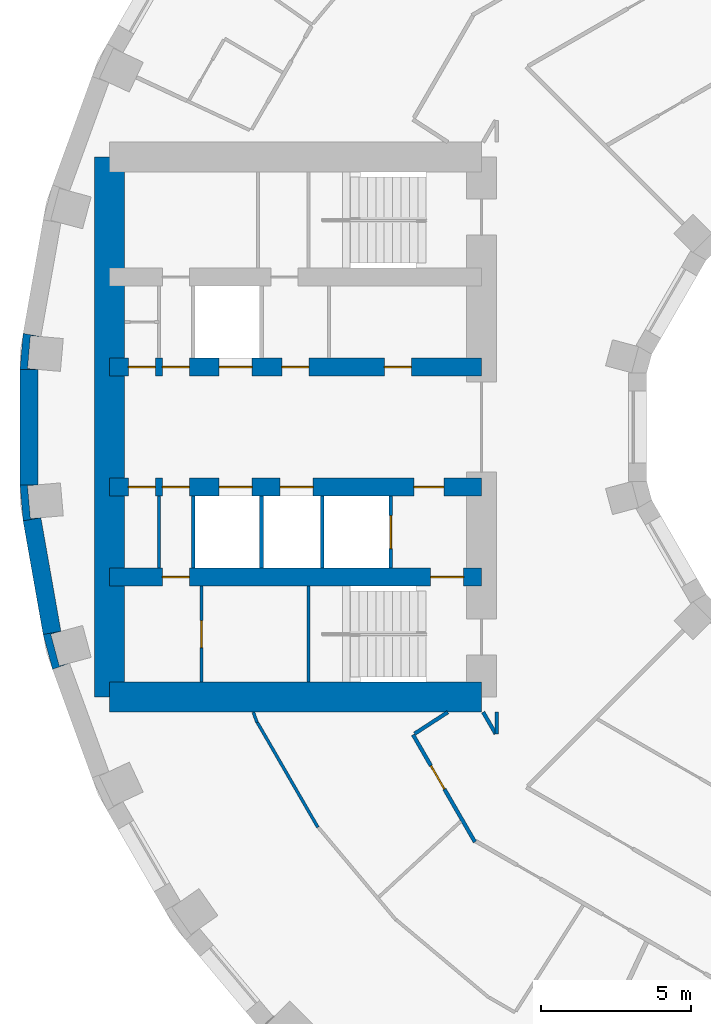
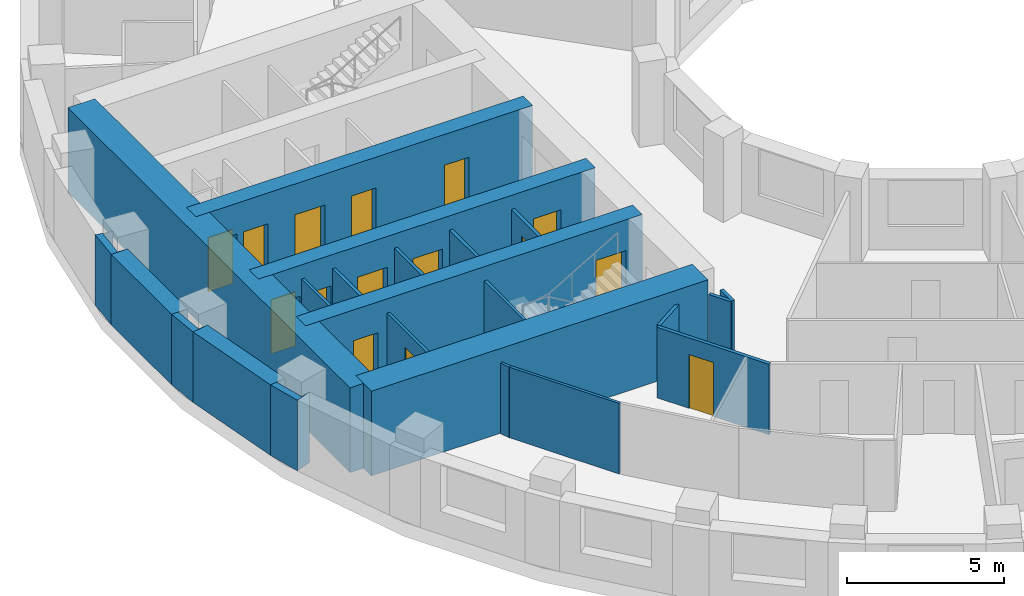
# One storey, part 5 of 15: 23 walls, 15 doors, 15 openings.
"""IFC4 building model written with IfcOpenShell, lengths in metres."""

from ifc_helpers import new_model, si_unit, direction, frame, frame_2d, origin, place, context, subcontext, project, spatial, polyline, rectangle, outline, extrude, material, layer, layer_set, type_object, element, fill, save


model = new_model("IFC4")

# Units and contexts
model_context = context("Model", 3, precision=1e-05, world=origin(), true_north=direction((0.0, 1.0)))
body_context = subcontext(model_context, "Body", "Model", "MODEL_VIEW")
ifc_project = project(units=[si_unit("LENGTHUNIT", "METRE"), si_unit("AREAUNIT", "SQUARE_METRE"), si_unit("VOLUMEUNIT", "CUBIC_METRE"), si_unit("PLANEANGLEUNIT", "RADIAN"), si_unit("MASSUNIT", "GRAM", prefix="KILO")], contexts=[model_context])

# Site, building, storey
site_placement = place(None, origin())
site = spatial("IfcSite", under=ifc_project, at=site_placement, CompositionType="ELEMENT")
building_placement = place(site_placement, origin())
building = spatial("IfcBuilding", under=site, at=building_placement, Name="Saqina Gate Tower", CompositionType="ELEMENT")
storey_placement = place(building_placement, frame((0.0, 0.0, 65.89990234375)))
storey = spatial("IfcBuildingStorey", under=building, at=storey_placement, Name="L18", CompositionType="ELEMENT", Elevation=65.89990234375)

# Walls
ifc_material_1 = material(Name="Brick masonry (red)", Category="masonry")
wall_type_1 = type_object("IfcWallType", Name="BRICK PIER COPING RED", PredefinedType="SOLIDWALL", material=ifc_material_1)
wall_1_placement = place(storey_placement, origin())
element("IfcWall", 1, at=wall_1_placement, inside=storey, type_object=wall_type_1, Name="Pier cap L18 column 18", PredefinedType="SOLIDWALL", context=body_context, shape_type="SweptSolid", body=[
    extrude(outline(polyline([(-28.78466796875, 3.122802734375), (-28.8896484375, 1.9228515625), (-28.28955078125, 1.9228515625), (-28.638671875, 1.95361328125), (-28.54296875, 3.04931640625), (-28.19384765625, 3.018798828125), (-28.78466796875, 3.122802734375)])), origin(), (0.0, 0.0, 1.0), 2.75),
])
wall_2_placement = place(storey_placement, origin())
element("IfcWall", 2, at=wall_2_placement, inside=storey, type_object=wall_type_1, Name="Pier cap L18 column 19", PredefinedType="SOLIDWALL", context=body_context, shape_type="SweptSolid", body=[
    extrude(outline(polyline([(-28.8896484375, -1.9228515625), (-28.78466796875, -3.122802734375), (-28.19384765625, -3.018798828125), (-28.54296875, -3.04931640625), (-28.638671875, -1.95361328125), (-28.28955078125, -1.9228515625), (-28.8896484375, -1.9228515625)])), origin(), (0.0, 0.0, 1.0), 2.75),
])
wall_3_placement = place(storey_placement, origin())
element("IfcWall", 3, at=wall_3_placement, inside=storey, type_object=wall_type_1, Name="Pier cap L18 column 20", PredefinedType="SOLIDWALL", context=body_context, shape_type="SweptSolid", body=[
    extrude(outline(polyline([(-28.11669921875, -6.910400390625), (-27.80517578125, -8.073974609375), (-27.2412109375, -7.86865234375), (-27.57958984375, -7.95947265625), (-27.864501953125, -6.896728515625), (-27.52587890625, -6.80615234375), (-28.11669921875, -6.910400390625)])), origin(), (0.0, 0.0, 1.0), 2.75),
])
ifc_material_2 = material(Name="Gypsum board on steel studs", Category="steel")
ifc_layer_1 = layer(ifc_material_2, 0.10009765625)
ifc_layer_set_1 = layer_set([ifc_layer_1], Name="CORE PARTITION")
wall_type_2 = type_object("IfcWallType", Name="CORE PARTITION", PredefinedType="PARTITIONING", material=ifc_layer_set_1)
wall_4_placement = place(storey_placement, frame((-24.260009765625, -4.699951171875, 0.0), z_axis=(0.0, 0.0, 1.0), x_axis=(0.0, 1.0, 0.0)))
element("IfcWall", 4, at=wall_4_placement, inside=storey, type_object=wall_type_2, Name="L18-CP-W09", PredefinedType="PARTITIONING", context=body_context, shape_type="SweptSolid", body=[
    extrude(rectangle(XDim=2.39990234375, YDim=0.10009765625, at=frame_2d((1.199951171875, 0.0))), origin(), (0.0, 0.0, 1.0), 2.75),
])

# Wall, opening, door
wall_5_placement = place(storey_placement, frame((-22.846435546875, -8.5, 0.0), z_axis=(0.0, 0.0, 1.0), x_axis=(0.0, 1.0, 0.0)))
wall_5 = element("IfcWall", 5, at=wall_5_placement, inside=storey, type_object=wall_type_2, Name="L18-CP-W14", PredefinedType="PARTITIONING", context=body_context, shape_type="SweptSolid", body=[
    extrude(rectangle(XDim=3.199951171875, YDim=0.10009765625, at=frame_2d((1.60009765625, 0.0))), origin(), (0.0, 0.0, 1.0), 2.75),
])
opening_1_placement = place(wall_5_placement, frame((1.14990234375, 0.0, 0.0)))
opening_1 = element("IfcOpeningElement", 6, at=opening_1_placement, cuts=wall_5, Name="Opening G05-D116", PredefinedType="OPENING", context=body_context, shape_type="SweptSolid", body=[
    extrude(rectangle(XDim=0.89990234375, YDim=2.10009765625, at=frame_2d((0.449951171875, 1.050048828125))), frame((0.0, 0.06201171875, 0.0), z_axis=(0.0, -1.0, 0.0), x_axis=(1.0, 0.0, 0.0)), (0.0, 0.0, 1.0), 0.1240234375),
])
ifc_material_3 = material(Name="Steel-framed fire door leaf, EI 60", Category="steel")
door_type_1 = type_object("IfcDoorType", Name="SERVICE ROOM DOOR 900", OperationType="SINGLE_SWING_LEFT", PredefinedType="DOOR", material=ifc_material_3)
door_1_placement = place(opening_1_placement, frame((0.89990234375, 0.0, 0.0), z_axis=(0.0, 0.0, 1.0), x_axis=(-1.0, 0.0, 0.0)))
door_1 = element("IfcDoor", 7, at=door_1_placement, inside=storey, type_object=door_type_1, Name="L18-CD-W27", OperationType="SINGLE_SWING_RIGHT", OverallHeight=2.10009765625, OverallWidth=0.89990234375, PredefinedType="DOOR", context=body_context, shape_type="SweptSolid", body=[
    extrude(rectangle(XDim=0.89990234375, YDim=2.10009765625, at=frame_2d((0.449951171875, 1.050048828125))), frame((0.0, 0.02490234375, 0.0), z_axis=(0.0, -1.0, 0.0), x_axis=(1.0, 0.0, 0.0)), (0.0, 0.0, 1.0), 0.050048828125),
])
fill(opening_1, door_1)

# Walls
ifc_material_4 = material(Name="Glazed ceramic tile", Category="ceramic")
ifc_layer_2 = layer(ifc_material_4, 0.60009765625)
ifc_layer_set_2 = layer_set([ifc_layer_2], Name="FW-TILE")
wall_type_3 = type_object("IfcWallType", Name="FW-TILE", PredefinedType="SOLIDWALL", material=ifc_layer_set_2)
wall_6_placement = place(storey_placement, frame((-28.4892578125, -3.07080078125, 0.0), z_axis=(0.0, 0.0, 1.0), x_axis=(0.173687553279, -0.984800809218, 0.0)))
element("IfcWall", 8, at=wall_6_placement, inside=storey, type_object=wall_type_3, Name="Facade wall L18 facet 19", PredefinedType="SOLIDWALL", context=body_context, shape_type="SweptSolid", body=[
    extrude(rectangle(XDim=3.845703125, YDim=0.60009765625, at=frame_2d((1.9228515625, 0.0))), origin(), (0.0, 0.0, 1.0), 2.75),
])
ifc_material_5 = material(Name="Glazed ceramic tile (white)", Category="ceramic")
ifc_layer_3 = layer(ifc_material_5, 0.60009765625)
ifc_layer_set_3 = layer_set([ifc_layer_3], Name="FW-TILE-WH")
wall_type_4 = type_object("IfcWallType", Name="FW-TILE-WH", PredefinedType="SOLIDWALL", material=ifc_layer_set_3)
wall_7_placement = place(storey_placement, frame((-28.589599609375, 1.9228515625, 0.0), z_axis=(0.0, 0.0, 1.0), x_axis=(0.0, -1.0, 0.0)))
element("IfcWall", 9, at=wall_7_placement, inside=storey, type_object=wall_type_4, Name="Facade wall L18 facet 18", PredefinedType="SOLIDWALL", context=body_context, shape_type="SweptSolid", body=[
    extrude(rectangle(XDim=3.845703125, YDim=0.60009765625, at=frame_2d((1.9228515625, 0.0))), origin(), (0.0, 0.0, 1.0), 2.75),
])
ifc_material_6 = material(Name="Gypsum board on steel studs, 100 mm", Category="steel")
ifc_layer_4 = layer(ifc_material_6, 0.10009765625)
ifc_layer_set_4 = layer_set([ifc_layer_4], Name="PARTITION 100")
wall_type_5 = type_object("IfcWallType", Name="PARTITION 100", PredefinedType="PARTITIONING", material=ifc_layer_set_4)
wall_8_placement = place(storey_placement, frame((-21.114013671875, -9.5, 0.0), z_axis=(0.0, 0.0, 1.0), x_axis=(0.34403955715, -0.938955155008, 0.0)))
element("IfcWall", 10, at=wall_8_placement, inside=storey, type_object=wall_type_5, Name="PARTITION PW3-17", PredefinedType="PARTITIONING", context=body_context, shape_type="SweptSolid", body=[
    extrude(rectangle(XDim=0.366943359375, YDim=0.10009765625, at=frame_2d((0.18359375, 0.0))), origin(), (0.0, 0.0, 1.0), 2.75),
])
wall_9_placement = place(storey_placement, frame((-20.980224609375, -9.840087890625, 0.0), z_axis=(0.0, 0.0, 1.0), x_axis=(0.500013722509, -0.866017480945, 0.0)))
element("IfcWall", 11, at=wall_9_placement, inside=storey, type_object=wall_type_5, Name="PARTITION PW3-22", PredefinedType="PARTITIONING", context=body_context, shape_type="SweptSolid", body=[
    extrude(rectangle(XDim=4.0390625, YDim=0.10009765625, at=frame_2d((2.01953125, 0.0))), origin(), (0.0, 0.0, 1.0), 2.75),
])

# Wall, opening, door
ifc_material_7 = material(Name="Gypsum board on steel studs, 125 mm, fire rated", Category="steel")
ifc_layer_5 = layer(ifc_material_7, 0.125)
ifc_layer_set_5 = layer_set([ifc_layer_5], Name="PARTITION EI 30 125")
wall_type_6 = type_object("IfcWallType", Name="PARTITION EI 30 125", PredefinedType="PARTITIONING", material=ifc_layer_set_5)
wall_10_placement = place(storey_placement, frame((-15.7890625, -10.2529296875, 0.0), z_axis=(0.0, 0.0, 1.0), x_axis=(0.49993934159, -0.866060422101, 0.0)))
wall_10 = element("IfcWall", 12, at=wall_10_placement, inside=storey, type_object=wall_type_6, Name="PARTITION PW1-01", PredefinedType="PARTITIONING", context=body_context, shape_type="SweptSolid", body=[
    extrude(rectangle(XDim=4.125, YDim=0.125, at=frame_2d((2.0625, 0.0))), origin(), (0.0, 0.0, 1.0), 2.75),
])
opening_2_placement = place(wall_10_placement, frame((1.189453125, 0.0, 0.0)))
opening_2 = element("IfcOpeningElement", 13, at=opening_2_placement, cuts=wall_10, Name="Opening G05-D36", PredefinedType="OPENING", context=body_context, shape_type="SweptSolid", body=[
    extrude(rectangle(XDim=0.89990234375, YDim=2.10009765625, at=frame_2d((0.449951171875, 1.050048828125))), frame((0.0, 0.074462890625, 0.0), z_axis=(0.0, -1.0, 0.0), x_axis=(1.0, 0.0, 0.0)), (0.0, 0.0, 1.0), 0.14892578125),
])
ifc_material_8 = material(Name="Fire door leaf EI 30, 900 mm")
door_type_2 = type_object("IfcDoorType", Name="DOOR 900 EI 30", OperationType="SINGLE_SWING_LEFT", PredefinedType="DOOR", material=ifc_material_8)
door_2_placement = place(opening_2_placement, frame((0.89990234375, 0.0, 0.0), z_axis=(0.0, 0.0, 1.0), x_axis=(-1.0, 0.0, 0.0)))
door_2 = element("IfcDoor", 14, at=door_2_placement, inside=storey, type_object=door_type_2, Name="DOOR G05-D36", OperationType="SINGLE_SWING_RIGHT", OverallHeight=2.10009765625, OverallWidth=0.89990234375, PredefinedType="DOOR", context=body_context, shape_type="SweptSolid", body=[
    extrude(rectangle(XDim=0.89990234375, YDim=2.10009765625, at=frame_2d((0.449951171875, 1.050048828125))), frame((0.0, 0.02490234375, 0.0), z_axis=(0.0, -1.0, 0.0), x_axis=(1.0, 0.0, 0.0)), (0.0, 0.0, 1.0), 0.050048828125),
])
fill(opening_2, door_2)

# Walls
wall_11_placement = place(storey_placement, frame((-13.451904296875, -9.5, 0.0), z_axis=(0.0, 0.0, 1.0), x_axis=(0.49991670217, -0.866073490468, 0.0)))
element("IfcWall", 15, at=wall_11_placement, inside=storey, type_object=wall_type_6, Name="PARTITION PW1-02", PredefinedType="PARTITIONING", context=body_context, shape_type="SweptSolid", body=[
    extrude(rectangle(XDim=0.834228515625, YDim=0.125, at=frame_2d((0.4169921875, 0.0))), origin(), (0.0, 0.0, 1.0), 2.75),
])
wall_12_placement = place(storey_placement, frame((-15.736572265625, -10.218994140625, 0.0), z_axis=(0.0, 0.0, 1.0), x_axis=(0.838785586694, 0.544461880717, 0.0)))
element("IfcWall", 16, at=wall_12_placement, inside=storey, type_object=wall_type_6, Name="PARTITION PW1-38", PredefinedType="PARTITIONING", context=body_context, shape_type="SweptSolid", body=[
    extrude(rectangle(XDim=1.320556640625, YDim=0.125, at=frame_2d((0.66015625, 0.0))), origin(), (0.0, 0.0, 1.0), 2.75),
])
wall_13_placement = place(storey_placement, frame((-13.0, -10.220458984375, 0.0), z_axis=(0.0, 0.0, 1.0), x_axis=(0.0, 1.0, 0.0)))
element("IfcWall", 17, at=wall_13_placement, inside=storey, type_object=wall_type_6, Name="PARTITION PW1-55", PredefinedType="PARTITIONING", context=body_context, shape_type="SweptSolid", body=[
    extrude(rectangle(XDim=0.720458984375, YDim=0.125, at=frame_2d((0.3603515625, 0.0))), origin(), (0.0, 0.0, 1.0), 2.75),
])

# Wall, opening, door
ifc_material_9 = material(Name="Autoclaved aerated concrete block", Category="concrete")
ifc_layer_6 = layer(ifc_material_9, 0.1201171875)
ifc_layer_set_6 = layer_set([ifc_layer_6], Name="SHAFT PARTITION")
wall_type_7 = type_object("IfcWallType", Name="SHAFT PARTITION", PredefinedType="PARTITIONING", material=ifc_layer_set_6)
wall_14_placement = place(storey_placement, frame((-16.530029296875, -4.699951171875, 0.0), z_axis=(0.0, 0.0, 1.0), x_axis=(0.0, 1.0, 0.0)))
wall_14 = element("IfcWall", 18, at=wall_14_placement, inside=storey, type_object=wall_type_7, Name="L18-CP-W05", PredefinedType="PARTITIONING", context=body_context, shape_type="SweptSolid", body=[
    extrude(rectangle(XDim=2.39990234375, YDim=0.1201171875, at=frame_2d((1.199951171875, 0.0))), origin(), (0.0, 0.0, 1.0), 2.75),
])
opening_3_placement = place(wall_14_placement, frame((0.64990234375, 0.0, 0.0)))
opening_3 = element("IfcOpeningElement", 19, at=opening_3_placement, cuts=wall_14, Name="Opening G05-LD6", PredefinedType="OPENING", context=body_context, shape_type="SweptSolid", body=[
    extrude(rectangle(XDim=1.10009765625, YDim=2.10009765625, at=frame_2d((0.550048828125, 1.050048828125))), frame((0.0, 0.072021484375, 0.0), z_axis=(0.0, -1.0, 0.0), x_axis=(1.0, 0.0, 0.0)), (0.0, 0.0, 1.0), 0.14404296875),
])
ifc_material_10 = material(Name="Stainless steel", Category="steel")
door_type_3 = type_object("IfcDoorType", Name="LANDING DOOR", OperationType="DOUBLE_DOOR_SLIDING", PredefinedType="DOOR", material=ifc_material_10)
door_3_placement = place(opening_3_placement, origin())
door_3 = element("IfcDoor", 20, at=door_3_placement, inside=storey, type_object=door_type_3, Name="LANDING DOOR FF2", OperationType="DOUBLE_DOOR_SLIDING", OverallHeight=2.10009765625, OverallWidth=1.10009765625, PredefinedType="DOOR", context=body_context, shape_type="SweptSolid", body=[
    extrude(rectangle(XDim=1.10009765625, YDim=2.10009765625, at=frame_2d((0.550048828125, 1.050048828125))), frame((0.0, 0.02490234375, 0.0), z_axis=(0.0, -1.0, 0.0), x_axis=(1.0, 0.0, 0.0)), (0.0, 0.0, 1.0), 0.050048828125),
])
fill(opening_3, door_3)

# Walls
for number, where, z_axis, x_axis, name in (
    (21, (-18.81005859375, -4.699951171875, 0.0), (0.0, 0.0, 1.0), (0.0, 1.0, 0.0), "L18-CP-W06"),
    (22, (-20.840087890625, -4.699951171875, 0.0), (0.0, 0.0, 1.0), (0.0, 1.0, 0.0), "L18-CP-W07"),
    (23, (-23.1201171875, -4.699951171875, 0.0), (0.0, 0.0, 1.0), (0.0, 1.0, 0.0), "L18-CP-W08"),
):
    element("IfcWall", number, at=place(storey_placement, frame(where, z_axis=z_axis, x_axis=x_axis)), inside=storey, type_object=wall_type_7, Name=name, PredefinedType="PARTITIONING", context=body_context, shape_type="SweptSolid", body=[
        extrude(rectangle(XDim=2.39990234375, YDim=0.1201171875, at=frame_2d((1.199951171875, 0.0))), origin(), (0.0, 0.0, 1.0), 2.75),
    ])
ifc_material_11 = material(Name="Autoclaved aerated concrete block", Category="concrete")
ifc_layer_7 = layer(ifc_material_11, 0.10009765625)
ifc_layer_set_7 = layer_set([ifc_layer_7], Name="STAIR ENCLOSURE WALL")
wall_type_8 = type_object("IfcWallType", Name="STAIR ENCLOSURE WALL", PredefinedType="PARTITIONING", material=ifc_layer_set_7)
wall_15_placement = place(storey_placement, frame((-19.27001953125, -8.5, 0.0), z_axis=(0.0, 0.0, 1.0), x_axis=(0.0, 1.0, 0.0)))
element("IfcWall", 24, at=wall_15_placement, inside=storey, type_object=wall_type_8, Name="L18-CP-W13", PredefinedType="PARTITIONING", context=body_context, shape_type="SweptSolid", body=[
    extrude(rectangle(XDim=3.199951171875, YDim=0.10009765625, at=frame_2d((1.60009765625, 0.0))), origin(), (0.0, 0.0, 1.0), 2.75),
])

# Wall, openings, doors
ifc_material_12 = material(Name="Concrete C70/85", Category="concrete")
ifc_layer_8 = layer(ifc_material_12, 0.60009765625)
ifc_layer_set_8 = layer_set([ifc_layer_8], Name="Concrete C70/85")
wall_type_9 = type_object("IfcWallType", Name="STR-CORE WALL-A-I", PredefinedType="SHEAR", material=ifc_layer_set_8)
wall_16_placement = place(storey_placement, frame((-13.5, -5.0, 0.0), z_axis=(0.0, 0.0, 1.0), x_axis=(-1.0, 0.0, 0.0)))
wall_16 = element("IfcWall", 25, at=wall_16_placement, inside=storey, type_object=wall_type_9, Name="CORE WALL L18 W-X2", PredefinedType="SHEAR", context=body_context, shape_type="SweptSolid", body=[
    extrude(rectangle(XDim=12.39990234375, YDim=0.60009765625, at=frame_2d((6.199951171875, 0.0))), origin(), (0.0, 0.0, 1.0), 3.300048828125),
])
opening_4_placement = place(wall_16_placement, frame((9.739990234375, 0.0, 0.0)))
opening_4 = element("IfcOpeningElement", 26, at=opening_4_placement, cuts=wall_16, Name="Opening G05-D117", PredefinedType="OPENING", context=body_context, shape_type="SweptSolid", body=[
    extrude(rectangle(XDim=0.89990234375, YDim=2.10009765625, at=frame_2d((0.449951171875, 1.050048828125))), frame((0.0, 0.31201171875, 0.0), z_axis=(0.0, -1.0, 0.0), x_axis=(1.0, 0.0, 0.0)), (0.0, 0.0, 1.0), 0.6240234375),
])
opening_5_placement = place(wall_16_placement, frame((0.60009765625, 0.0, 0.0)))
opening_5 = element("IfcOpeningElement", 27, at=opening_5_placement, cuts=wall_16, Name="Opening G05-D118", PredefinedType="OPENING", context=body_context, shape_type="SweptSolid", body=[
    extrude(rectangle(XDim=1.10009765625, YDim=2.10009765625, at=frame_2d((0.550048828125, 1.050048828125))), frame((0.0, 0.31201171875, 0.0), z_axis=(0.0, -1.0, 0.0), x_axis=(1.0, 0.0, 0.0)), (0.0, 0.0, 1.0), 0.6240234375),
])
ifc_material_13 = material(Name="Steel", Category="steel")
door_type_4 = type_object("IfcDoorType", Name="FIRE LOBBY DOOR EI 60 WIDE", OperationType="SINGLE_SWING_LEFT", PredefinedType="DOOR", material=ifc_material_13)
door_4_placement = place(opening_5_placement, origin())
door_4 = element("IfcDoor", 28, at=door_4_placement, inside=storey, type_object=door_type_4, Name="L18-CD-W29", OperationType="SINGLE_SWING_LEFT", OverallHeight=2.10009765625, OverallWidth=1.10009765625, PredefinedType="DOOR", context=body_context, shape_type="SweptSolid", body=[
    extrude(rectangle(XDim=1.10009765625, YDim=2.10009765625, at=frame_2d((0.550048828125, 1.050048828125))), frame((0.0, 0.02490234375, 0.0), z_axis=(0.0, -1.0, 0.0), x_axis=(1.0, 0.0, 0.0)), (0.0, 0.0, 1.0), 0.050048828125),
])
fill(opening_5, door_4)
door_5_placement = place(opening_4_placement, origin())
door_5 = element("IfcDoor", 29, at=door_5_placement, inside=storey, type_object=door_type_1, Name="L18-CD-W28", OperationType="SINGLE_SWING_LEFT", OverallHeight=2.10009765625, OverallWidth=0.89990234375, PredefinedType="DOOR", context=body_context, shape_type="SweptSolid", body=[
    extrude(rectangle(XDim=0.89990234375, YDim=2.10009765625, at=frame_2d((0.449951171875, 1.050048828125))), frame((0.0, 0.02490234375, 0.0), z_axis=(0.0, -1.0, 0.0), x_axis=(1.0, 0.0, 0.0)), (0.0, 0.0, 1.0), 0.050048828125),
])
fill(opening_4, door_5)

wall_17_placement = place(storey_placement, frame((-13.5, 2.0, 0.0), z_axis=(0.0, 0.0, 1.0), x_axis=(-1.0, 0.0, 0.0)))
wall_17 = element("IfcWall", 30, at=wall_17_placement, inside=storey, type_object=wall_type_9, Name="CORE WALL L18 W-L1", PredefinedType="SHEAR", context=body_context, shape_type="SweptSolid", body=[
    extrude(rectangle(XDim=12.39990234375, YDim=0.60009765625, at=frame_2d((6.199951171875, 0.0))), origin(), (0.0, 0.0, 1.0), 3.300048828125),
])
opening_6_placement = place(wall_17_placement, frame((7.64990234375, 0.0, 0.0)))
opening_6 = element("IfcOpeningElement", 31, at=opening_6_placement, cuts=wall_17, Name="Opening G05-LD5", PredefinedType="OPENING", context=body_context, shape_type="SweptSolid", body=[
    extrude(rectangle(XDim=1.10009765625, YDim=2.10009765625, at=frame_2d((0.550048828125, 1.050048828125))), frame((0.0, 0.31201171875, 0.0), z_axis=(0.0, -1.0, 0.0), x_axis=(1.0, 0.0, 0.0)), (0.0, 0.0, 1.0), 0.6240234375),
])
opening_7_placement = place(wall_17_placement, frame((2.34130859375, 0.0, 0.0)))
opening_7 = element("IfcOpeningElement", 32, at=opening_7_placement, cuts=wall_17, Name="Opening G05-D106", PredefinedType="OPENING", context=body_context, shape_type="SweptSolid", body=[
    extrude(rectangle(XDim=0.89990234375, YDim=2.10009765625, at=frame_2d((0.449951171875, 1.050048828125))), frame((0.0, 0.31201171875, 0.0), z_axis=(0.0, -1.0, 0.0), x_axis=(1.0, 0.0, 0.0)), (0.0, 0.0, 1.0), 0.6240234375),
])
opening_8_placement = place(wall_17_placement, frame((5.761474609375, 0.0, 0.0)))
opening_8 = element("IfcOpeningElement", 33, at=opening_8_placement, cuts=wall_17, Name="Opening G05-D107", PredefinedType="OPENING", context=body_context, shape_type="SweptSolid", body=[
    extrude(rectangle(XDim=0.89990234375, YDim=2.10009765625, at=frame_2d((0.449951171875, 1.050048828125))), frame((0.0, 0.31201171875, 0.0), z_axis=(0.0, -1.0, 0.0), x_axis=(1.0, 0.0, 0.0)), (0.0, 0.0, 1.0), 0.6240234375),
])
opening_9_placement = place(wall_17_placement, frame((9.739990234375, 0.0, 0.0)))
opening_9 = element("IfcOpeningElement", 34, at=opening_9_placement, cuts=wall_17, Name="Opening G05-D108", PredefinedType="OPENING", context=body_context, shape_type="SweptSolid", body=[
    extrude(rectangle(XDim=0.89990234375, YDim=2.10009765625, at=frame_2d((0.449951171875, 1.050048828125))), frame((0.0, 0.31201171875, 0.0), z_axis=(0.0, -1.0, 0.0), x_axis=(1.0, 0.0, 0.0)), (0.0, 0.0, 1.0), 0.6240234375),
])
opening_10_placement = place(wall_17_placement, frame((10.8798828125, 0.0, 0.0)))
opening_10 = element("IfcOpeningElement", 35, at=opening_10_placement, cuts=wall_17, Name="Opening G05-D109", PredefinedType="OPENING", context=body_context, shape_type="SweptSolid", body=[
    extrude(rectangle(XDim=0.89990234375, YDim=2.10009765625, at=frame_2d((0.449951171875, 1.050048828125))), frame((0.0, 0.31201171875, 0.0), z_axis=(0.0, -1.0, 0.0), x_axis=(1.0, 0.0, 0.0)), (0.0, 0.0, 1.0), 0.6240234375),
])
door_6_placement = place(opening_6_placement, origin())
door_6 = element("IfcDoor", 36, at=door_6_placement, inside=storey, type_object=door_type_3, Name="LANDING DOOR LR4", OperationType="DOUBLE_DOOR_SLIDING", OverallHeight=2.10009765625, OverallWidth=1.10009765625, PredefinedType="DOOR", context=body_context, shape_type="SweptSolid", body=[
    extrude(rectangle(XDim=1.10009765625, YDim=2.10009765625, at=frame_2d((0.550048828125, 1.050048828125))), frame((0.0, 0.02490234375, 0.0), z_axis=(0.0, -1.0, 0.0), x_axis=(1.0, 0.0, 0.0)), (0.0, 0.0, 1.0), 0.050048828125),
])
fill(opening_6, door_6)
door_7_placement = place(opening_7_placement, frame((0.89990234375, 0.0, 0.0), z_axis=(0.0, 0.0, 1.0), x_axis=(-1.0, 0.0, 0.0)))
door_7 = element("IfcDoor", 37, at=door_7_placement, inside=storey, type_object=door_type_1, Name="L18-CD-W17", OperationType="SINGLE_SWING_RIGHT", OverallHeight=2.10009765625, OverallWidth=0.89990234375, PredefinedType="DOOR", context=body_context, shape_type="SweptSolid", body=[
    extrude(rectangle(XDim=0.89990234375, YDim=2.10009765625, at=frame_2d((0.449951171875, 1.050048828125))), frame((0.0, 0.02490234375, 0.0), z_axis=(0.0, -1.0, 0.0), x_axis=(1.0, 0.0, 0.0)), (0.0, 0.0, 1.0), 0.050048828125),
])
fill(opening_7, door_7)
door_8_placement = place(opening_8_placement, frame((0.89990234375, 0.0, 0.0), z_axis=(0.0, 0.0, 1.0), x_axis=(-1.0, 0.0, 0.0)))
door_8 = element("IfcDoor", 38, at=door_8_placement, inside=storey, type_object=door_type_1, Name="L18-CD-W18", OperationType="SINGLE_SWING_LEFT", OverallHeight=2.10009765625, OverallWidth=0.89990234375, PredefinedType="DOOR", context=body_context, shape_type="SweptSolid", body=[
    extrude(rectangle(XDim=0.89990234375, YDim=2.10009765625, at=frame_2d((0.449951171875, 1.050048828125))), frame((0.0, 0.02490234375, 0.0), z_axis=(0.0, -1.0, 0.0), x_axis=(1.0, 0.0, 0.0)), (0.0, 0.0, 1.0), 0.050048828125),
])
fill(opening_8, door_8)
door_9_placement = place(opening_9_placement, frame((0.89990234375, 0.0, 0.0), z_axis=(0.0, 0.0, 1.0), x_axis=(-1.0, 0.0, 0.0)))
door_9 = element("IfcDoor", 39, at=door_9_placement, inside=storey, type_object=door_type_1, Name="L18-CD-W19", OperationType="SINGLE_SWING_RIGHT", OverallHeight=2.10009765625, OverallWidth=0.89990234375, PredefinedType="DOOR", context=body_context, shape_type="SweptSolid", body=[
    extrude(rectangle(XDim=0.89990234375, YDim=2.10009765625, at=frame_2d((0.449951171875, 1.050048828125))), frame((0.0, 0.02490234375, 0.0), z_axis=(0.0, -1.0, 0.0), x_axis=(1.0, 0.0, 0.0)), (0.0, 0.0, 1.0), 0.050048828125),
])
fill(opening_9, door_9)
door_10_placement = place(opening_10_placement, frame((0.89990234375, 0.0, 0.0), z_axis=(0.0, 0.0, 1.0), x_axis=(-1.0, 0.0, 0.0)))
door_10 = element("IfcDoor", 40, at=door_10_placement, inside=storey, type_object=door_type_1, Name="L18-CD-W20", OperationType="SINGLE_SWING_LEFT", OverallHeight=2.10009765625, OverallWidth=0.89990234375, PredefinedType="DOOR", context=body_context, shape_type="SweptSolid", body=[
    extrude(rectangle(XDim=0.89990234375, YDim=2.10009765625, at=frame_2d((0.449951171875, 1.050048828125))), frame((0.0, 0.02490234375, 0.0), z_axis=(0.0, -1.0, 0.0), x_axis=(1.0, 0.0, 0.0)), (0.0, 0.0, 1.0), 0.050048828125),
])
fill(opening_10, door_10)

wall_18_placement = place(storey_placement, frame((-13.5, -2.0, 0.0), z_axis=(0.0, 0.0, 1.0), x_axis=(-1.0, 0.0, 0.0)))
wall_18 = element("IfcWall", 41, at=wall_18_placement, inside=storey, type_object=wall_type_9, Name="CORE WALL L18 W-L2", PredefinedType="SHEAR", context=body_context, shape_type="SweptSolid", body=[
    extrude(rectangle(XDim=12.39990234375, YDim=0.60009765625, at=frame_2d((6.199951171875, 0.0))), origin(), (0.0, 0.0, 1.0), 3.300048828125),
])
opening_11_placement = place(wall_18_placement, frame((5.6201171875, 0.0, 0.0)))
opening_11 = element("IfcOpeningElement", 42, at=opening_11_placement, cuts=wall_18, Name="Opening G05-LD7", PredefinedType="OPENING", context=body_context, shape_type="SweptSolid", body=[
    extrude(rectangle(XDim=1.10009765625, YDim=2.10009765625, at=frame_2d((0.550048828125, 1.050048828125))), frame((0.0, 0.31201171875, 0.0), z_axis=(0.0, -1.0, 0.0), x_axis=(1.0, 0.0, 0.0)), (0.0, 0.0, 1.0), 0.6240234375),
])
opening_12_placement = place(wall_18_placement, frame((7.64990234375, 0.0, 0.0)))
opening_12 = element("IfcOpeningElement", 43, at=opening_12_placement, cuts=wall_18, Name="Opening G05-LD8", PredefinedType="OPENING", context=body_context, shape_type="SweptSolid", body=[
    extrude(rectangle(XDim=1.10009765625, YDim=2.10009765625, at=frame_2d((0.550048828125, 1.050048828125))), frame((0.0, 0.31201171875, 0.0), z_axis=(0.0, -1.0, 0.0), x_axis=(1.0, 0.0, 0.0)), (0.0, 0.0, 1.0), 0.6240234375),
])
opening_13_placement = place(wall_18_placement, frame((1.264892578125, 0.0, 0.0)))
opening_13 = element("IfcOpeningElement", 44, at=opening_13_placement, cuts=wall_18, Name="Opening G05-D110", PredefinedType="OPENING", context=body_context, shape_type="SweptSolid", body=[
    extrude(rectangle(XDim=1.0, YDim=2.10009765625, at=frame_2d((0.5, 1.050048828125))), frame((0.0, 0.31201171875, 0.0), z_axis=(0.0, -1.0, 0.0), x_axis=(1.0, 0.0, 0.0)), (0.0, 0.0, 1.0), 0.6240234375),
])
opening_14_placement = place(wall_18_placement, frame((9.739990234375, 0.0, 0.0)))
opening_14 = element("IfcOpeningElement", 45, at=opening_14_placement, cuts=wall_18, Name="Opening G05-D111", PredefinedType="OPENING", context=body_context, shape_type="SweptSolid", body=[
    extrude(rectangle(XDim=0.89990234375, YDim=2.10009765625, at=frame_2d((0.449951171875, 1.050048828125))), frame((0.0, 0.31201171875, 0.0), z_axis=(0.0, -1.0, 0.0), x_axis=(1.0, 0.0, 0.0)), (0.0, 0.0, 1.0), 0.6240234375),
])
opening_15_placement = place(wall_18_placement, frame((10.8798828125, 0.0, 0.0)))
opening_15 = element("IfcOpeningElement", 46, at=opening_15_placement, cuts=wall_18, Name="Opening G05-D112", PredefinedType="OPENING", context=body_context, shape_type="SweptSolid", body=[
    extrude(rectangle(XDim=0.89990234375, YDim=2.10009765625, at=frame_2d((0.449951171875, 1.050048828125))), frame((0.0, 0.31201171875, 0.0), z_axis=(0.0, -1.0, 0.0), x_axis=(1.0, 0.0, 0.0)), (0.0, 0.0, 1.0), 0.6240234375),
])
ifc_material_14 = material(Name="Steel", Category="steel")
door_type_5 = type_object("IfcDoorType", Name="FIRE LOBBY DOOR EI 60", OperationType="SINGLE_SWING_LEFT", PredefinedType="DOOR", material=ifc_material_14)
door_11_placement = place(opening_13_placement, frame((1.0, 0.0, 0.0), z_axis=(0.0, 0.0, 1.0), x_axis=(-1.0, 0.0, 0.0)))
door_11 = element("IfcDoor", 47, at=door_11_placement, inside=storey, type_object=door_type_5, Name="L18-CD-W21", OperationType="SINGLE_SWING_RIGHT", OverallHeight=2.10009765625, OverallWidth=1.0, PredefinedType="DOOR", context=body_context, shape_type="SweptSolid", body=[
    extrude(rectangle(XDim=1.0, YDim=2.10009765625, at=frame_2d((0.5, 1.050048828125))), frame((0.0, 0.02490234375, 0.0), z_axis=(0.0, -1.0, 0.0), x_axis=(1.0, 0.0, 0.0)), (0.0, 0.0, 1.0), 0.050048828125),
])
fill(opening_13, door_11)
door_12_placement = place(opening_11_placement, origin())
door_12 = element("IfcDoor", 48, at=door_12_placement, inside=storey, type_object=door_type_3, Name="LANDING DOOR LR6", OperationType="DOUBLE_DOOR_SLIDING", OverallHeight=2.10009765625, OverallWidth=1.10009765625, PredefinedType="DOOR", context=body_context, shape_type="SweptSolid", body=[
    extrude(rectangle(XDim=1.10009765625, YDim=2.10009765625, at=frame_2d((0.550048828125, 1.050048828125))), frame((0.0, 0.02490234375, 0.0), z_axis=(0.0, -1.0, 0.0), x_axis=(1.0, 0.0, 0.0)), (0.0, 0.0, 1.0), 0.050048828125),
])
fill(opening_11, door_12)
door_13_placement = place(opening_12_placement, origin())
door_13 = element("IfcDoor", 49, at=door_13_placement, inside=storey, type_object=door_type_3, Name="LANDING DOOR LR5", OperationType="DOUBLE_DOOR_SLIDING", OverallHeight=2.10009765625, OverallWidth=1.10009765625, PredefinedType="DOOR", context=body_context, shape_type="SweptSolid", body=[
    extrude(rectangle(XDim=1.10009765625, YDim=2.10009765625, at=frame_2d((0.550048828125, 1.050048828125))), frame((0.0, 0.02490234375, 0.0), z_axis=(0.0, -1.0, 0.0), x_axis=(1.0, 0.0, 0.0)), (0.0, 0.0, 1.0), 0.050048828125),
])
fill(opening_12, door_13)
door_14_placement = place(opening_14_placement, origin())
door_14 = element("IfcDoor", 50, at=door_14_placement, inside=storey, type_object=door_type_1, Name="L18-CD-W22", OperationType="SINGLE_SWING_LEFT", OverallHeight=2.10009765625, OverallWidth=0.89990234375, PredefinedType="DOOR", context=body_context, shape_type="SweptSolid", body=[
    extrude(rectangle(XDim=0.89990234375, YDim=2.10009765625, at=frame_2d((0.449951171875, 1.050048828125))), frame((0.0, 0.02490234375, 0.0), z_axis=(0.0, -1.0, 0.0), x_axis=(1.0, 0.0, 0.0)), (0.0, 0.0, 1.0), 0.050048828125),
])
fill(opening_14, door_14)
door_15_placement = place(opening_15_placement, origin())
door_15 = element("IfcDoor", 51, at=door_15_placement, inside=storey, type_object=door_type_1, Name="L18-CD-W23", OperationType="SINGLE_SWING_RIGHT", OverallHeight=2.10009765625, OverallWidth=0.89990234375, PredefinedType="DOOR", context=body_context, shape_type="SweptSolid", body=[
    extrude(rectangle(XDim=0.89990234375, YDim=2.10009765625, at=frame_2d((0.449951171875, 1.050048828125))), frame((0.0, 0.02490234375, 0.0), z_axis=(0.0, -1.0, 0.0), x_axis=(1.0, 0.0, 0.0)), (0.0, 0.0, 1.0), 0.050048828125),
])
fill(opening_15, door_15)

# Walls
ifc_material_15 = material(Name="Concrete C70/85", Category="concrete")
ifc_layer_9 = layer(ifc_material_15, 1.0)
ifc_layer_set_9 = layer_set([ifc_layer_9], Name="Concrete C70/85")
wall_type_10 = type_object("IfcWallType", Name="STR-CORE WALL-A-O", PredefinedType="SHEAR", material=ifc_layer_set_9)
wall_19_placement = place(storey_placement, frame((-25.89990234375, -9.0, 0.0), z_axis=(0.0, 0.0, 1.0), x_axis=(0.0, 1.0, 0.0)))
element("IfcWall", 52, at=wall_19_placement, inside=storey, type_object=wall_type_10, Name="CORE WALL L18 W-W2", PredefinedType="SHEAR", context=body_context, shape_type="SweptSolid", body=[
    extrude(rectangle(XDim=18.0, YDim=1.0, at=frame_2d((9.0, 0.0))), origin(), (0.0, 0.0, 1.0), 3.300048828125),
])
wall_20_placement = place(storey_placement, frame((-13.5, -9.0, 0.0), z_axis=(0.0, 0.0, 1.0), x_axis=(-1.0, 0.0, 0.0)))
element("IfcWall", 53, at=wall_20_placement, inside=storey, type_object=wall_type_10, Name="CORE WALL L18 W-SE", PredefinedType="SHEAR", context=body_context, shape_type="SweptSolid", body=[
    extrude(rectangle(XDim=12.39990234375, YDim=1.0, at=frame_2d((6.199951171875, 0.0))), origin(), (0.0, 0.0, 1.0), 3.300048828125),
])

save(model, "model.ifc")
